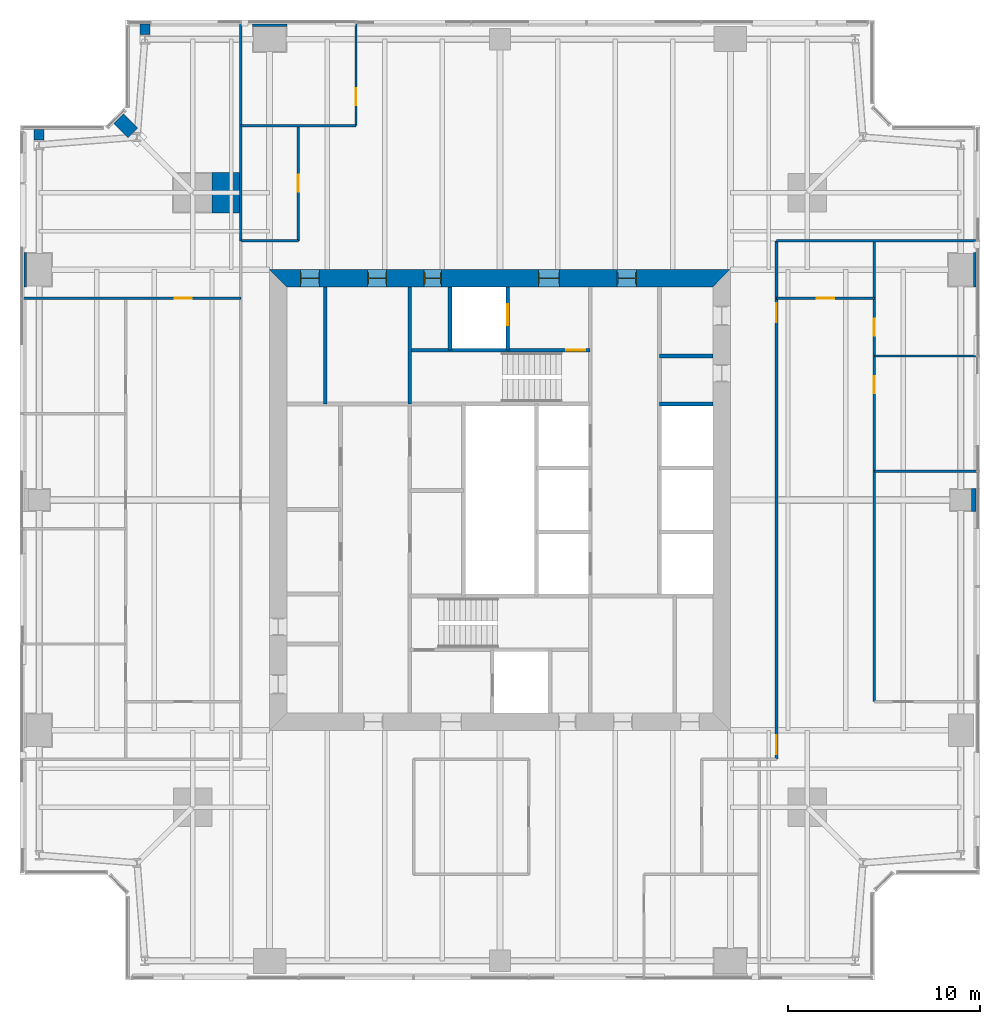
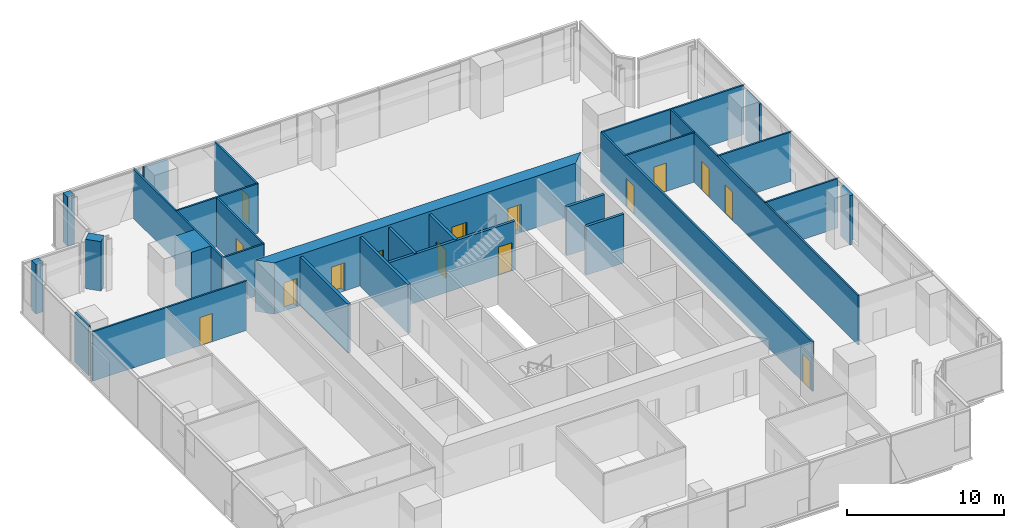
# One storey, part 11 of 14: 28 walls, 15 doors, 15 openings.
"""IFC4 building model written with IfcOpenShell, lengths in metres."""

from ifc_helpers import new_model, si_unit, direction, frame, frame_2d, origin, place, context, subcontext, project, spatial, polyline, rectangle, outline, extrude, material, layer, layer_set, type_object, element, fill, save


model = new_model("IFC4")

# Units and contexts
model_context = context("Model", 3, precision=1e-05, world=origin(), true_north=direction((0.0, 1.0)))
body_context = subcontext(model_context, "Body", "Model", "MODEL_VIEW")
ifc_project = project(units=[si_unit("LENGTHUNIT", "METRE"), si_unit("AREAUNIT", "SQUARE_METRE"), si_unit("VOLUMEUNIT", "CUBIC_METRE"), si_unit("PLANEANGLEUNIT", "RADIAN"), si_unit("MASSUNIT", "GRAM", prefix="KILO")], contexts=[model_context])

# Site, building, storey
site_placement = place(None, origin())
site = spatial("IfcSite", under=ifc_project, at=site_placement, CompositionType="ELEMENT")
building_placement = place(site_placement, origin())
building = spatial("IfcBuilding", under=site, at=building_placement, Name="Fenwick Lantern Interchange", CompositionType="ELEMENT")
storey_placement = place(building_placement, frame((0.0, 0.0, 221.800048828125)))
storey = spatial("IfcBuildingStorey", under=building, at=storey_placement, Name="L52", CompositionType="ELEMENT", Elevation=221.800048828125)

# Walls
ifc_material_1 = material(Name="Fire-rated gypsum board encasement on steel studs, 2 hour", Category="steel")
ifc_layer_1 = layer(ifc_material_1, 1.199951171875)
ifc_layer_set_1 = layer_set([ifc_layer_1], Name="COLUMN PIER 1200")
wall_type_1 = type_object("IfcWallType", Name="COLUMN PIER 1200", PredefinedType="PARTITIONING", material=ifc_layer_set_1)
wall_1_placement = place(storey_placement, frame((49.800048828125, 25.0, 0.0), z_axis=(0.0, 0.0, 1.0), x_axis=(-1.0, 0.0, 0.0)))
element("IfcWall", 1, at=wall_1_placement, inside=storey, type_object=wall_type_1, Name="L52/W/PIER/CE3", PredefinedType="PARTITIONING", context=body_context, shape_type="SweptSolid", body=[
    extrude(rectangle(XDim=0.25, YDim=1.199951171875, at=frame_2d((0.125, 0.0))), origin(), (0.0, 0.0, 1.0), 3.849853515625),
])
ifc_layer_2 = layer(ifc_material_1, 1.800048828125)
ifc_layer_set_2 = layer_set([ifc_layer_2], Name="COLUMN PIER 1800")
wall_type_2 = type_object("IfcWallType", Name="COLUMN PIER 1800", PredefinedType="PARTITIONING", material=ifc_layer_set_2)
for number, where, z_axis, x_axis, name in (
    (2, (49.800048828125, 37.0, 0.0), (0.0, 0.0, 1.0), (-1.0, 0.0, 0.0), "L52/W/PIER/CE4"),
    (3, (13.0, 49.800048828125, 0.0), (0.0, 0.0, 1.0), (0.0, -1.0, 0.0), "L52/W/PIER/CN4"),
    (4, (0.199951171875, 37.0, 0.0), (0.0, 0.0, 1.0), (1.0, 0.0, 0.0), "L52/W/PIER/CW2"),
):
    element("IfcWall", number, at=place(storey_placement, frame(where, z_axis=z_axis, x_axis=x_axis)), inside=storey, type_object=wall_type_2, Name=name, PredefinedType="PARTITIONING", context=body_context, shape_type="SweptSolid", body=[
        extrude(rectangle(XDim=0.150146484375, YDim=1.800048828125, at=frame_2d((0.0751953125, 0.0))), origin(), (0.0, 0.0, 1.0), 3.849853515625),
    ])
ifc_layer_3 = layer(ifc_material_1, 2.10009765625)
ifc_layer_set_3 = layer_set([ifc_layer_3], Name="COLUMN PIER 2100")
wall_type_3 = type_object("IfcWallType", Name="COLUMN PIER 2100", PredefinedType="PARTITIONING", material=ifc_layer_set_3)
wall_2_placement = place(storey_placement, frame((11.4375, 41.0, 0.0), z_axis=(0.0, 0.0, 1.0), x_axis=(-1.0, 0.0, 0.0)))
element("IfcWall", 5, at=wall_2_placement, inside=storey, type_object=wall_type_3, Name="L52/W/PIER/M4", PredefinedType="PARTITIONING", context=body_context, shape_type="SweptSolid", body=[
    extrude(rectangle(XDim=1.4375, YDim=2.10009765625, at=frame_2d((0.71875, 0.0))), origin(), (0.0, 0.0, 1.0), 3.849853515625),
])
ifc_layer_4 = layer(ifc_material_1, 0.52392578125)
ifc_layer_set_4 = layer_set([ifc_layer_4], Name="COLUMN PIER 524")
wall_type_4 = type_object("IfcWallType", Name="COLUMN PIER 524", PredefinedType="PARTITIONING", material=ifc_layer_set_4)
for number, where, z_axis, x_axis, name in (
    (6, (6.5, 49.800048828125, 0.0), (0.0, 0.0, 1.0), (0.0, -1.0, 0.0), "L52/W/PIER/CN5"),
    (7, (1.0, 44.300048828125, 0.0), (0.0, 0.0, 1.0), (0.0, -1.0, 0.0), "L52/W/PIER/CW1"),
):
    element("IfcWall", number, at=place(storey_placement, frame(where, z_axis=z_axis, x_axis=x_axis)), inside=storey, type_object=wall_type_4, Name=name, PredefinedType="PARTITIONING", context=body_context, shape_type="SweptSolid", body=[
        extrude(rectangle(XDim=0.5625, YDim=0.52392578125, at=frame_2d((0.28125, 0.0))), origin(), (0.0, 0.0, 1.0), 3.849853515625),
    ])
ifc_layer_5 = layer(ifc_material_1, 0.736083984375)
ifc_layer_set_5 = layer_set([ifc_layer_5], Name="COLUMN PIER 736")
wall_type_5 = type_object("IfcWallType", Name="COLUMN PIER 736", PredefinedType="PARTITIONING", material=ifc_layer_set_5)
wall_3_placement = place(storey_placement, frame((5.141357421875, 44.858642578125, 0.0), z_axis=(0.0, 0.0, 1.0), x_axis=(0.707106781187, -0.707106781187, 0.0)))
element("IfcWall", 8, at=wall_3_placement, inside=storey, type_object=wall_type_5, Name="L52/W/PIER/CNR", PredefinedType="PARTITIONING", context=body_context, shape_type="SweptSolid", body=[
    extrude(rectangle(XDim=1.037841796875, YDim=0.736083984375, at=frame_2d((0.51904296875, 0.0))), origin(), (0.0, 0.0, 1.0), 3.849853515625),
])
ifc_material_2 = material(Name="Concrete masonry ASTM C90 Grade N", Category="masonry")
ifc_layer_6 = layer(ifc_material_2, 0.199951171875)
ifc_layer_set_6 = layer_set([ifc_layer_6], Name="Concrete masonry ASTM C90 Grade N")
wall_type_6 = type_object("IfcWallType", Name="CORE PARTITION 200", PredefinedType="PARTITIONING", material=ifc_layer_set_6)
wall_4_placement = place(storey_placement, frame((36.10009765625, 30.0, 0.0), z_axis=(0.0, 0.0, 1.0), x_axis=(-1.0, 0.0, 0.0)))
element("IfcWall", 9, at=wall_4_placement, inside=storey, type_object=wall_type_6, Name="L52/W/COREN/c2", PredefinedType="PARTITIONING", context=body_context, shape_type="SweptSolid", body=[
    extrude(rectangle(XDim=2.800048828125, YDim=0.199951171875, at=frame_2d((1.39990234375, 0.0))), origin(), (0.0, 0.0, 1.0), 3.800048828125),
])

# Wall, opening, door
wall_5_placement = place(storey_placement, frame((25.39990234375, 36.10009765625, 0.0), z_axis=(0.0, 0.0, 1.0), x_axis=(0.0, -1.0, 0.0)))
wall_5 = element("IfcWall", 10, at=wall_5_placement, inside=storey, type_object=wall_type_6, Name="L52/W/COREN/h1", PredefinedType="PARTITIONING", context=body_context, shape_type="SweptSolid", body=[
    extrude(rectangle(XDim=3.300048828125, YDim=0.199951171875, at=frame_2d((1.64990234375, 0.0))), origin(), (0.0, 0.0, 1.0), 3.800048828125),
])
opening_1_placement = place(wall_5_placement, frame((0.89990234375, 0.0, 0.0)))
opening_1 = element("IfcOpeningElement", 11, at=opening_1_placement, cuts=wall_5, Name="Opening LD-FL2", PredefinedType="OPENING", context=body_context, shape_type="SweptSolid", body=[
    extrude(rectangle(XDim=1.10009765625, YDim=2.199951171875, at=frame_2d((0.550048828125, 1.10009765625))), frame((0.0, 0.10986328125, 0.0), z_axis=(0.0, -1.0, 0.0), x_axis=(1.0, 0.0, 0.0)), (0.0, 0.0, 1.0), 0.219970703125),
])
ifc_material_3 = material(Name="Steel door and frame", Category="steel")
door_type_1 = type_object("IfcDoorType", Name="LIFT LANDING DOOR 1100 X 2200", OperationType="DOUBLE_DOOR_SLIDING", PredefinedType="DOOR", material=ifc_material_3)
door_1_placement = place(opening_1_placement, origin())
door_1 = element("IfcDoor", 12, at=door_1_placement, inside=storey, type_object=door_type_1, Name="Lift landing door FL2", OperationType="DOUBLE_DOOR_SLIDING", OverallHeight=2.199951171875, OverallWidth=1.10009765625, PredefinedType="DOOR", context=body_context, shape_type="SweptSolid", body=[
    extrude(rectangle(XDim=1.10009765625, YDim=2.199951171875, at=frame_2d((0.550048828125, 1.10009765625))), frame((0.0, 0.02490234375, 0.0), z_axis=(0.0, -1.0, 0.0), x_axis=(1.0, 0.0, 0.0)), (0.0, 0.0, 1.0), 0.050048828125),
])
fill(opening_1, door_1)

# Walls
wall_6_placement = place(storey_placement, frame((22.39990234375, 36.10009765625, 0.0), z_axis=(0.0, 0.0, 1.0), x_axis=(0.0, -1.0, 0.0)))
element("IfcWall", 13, at=wall_6_placement, inside=storey, type_object=wall_type_6, Name="L52/W/COREN/h2", PredefinedType="PARTITIONING", context=body_context, shape_type="SweptSolid", body=[
    extrude(rectangle(XDim=3.300048828125, YDim=0.199951171875, at=frame_2d((1.64990234375, 0.0))), origin(), (0.0, 0.0, 1.0), 3.800048828125),
])
wall_7_placement = place(storey_placement, frame((15.89990234375, 36.10009765625, 0.0), z_axis=(0.0, 0.0, 1.0), x_axis=(0.0, -1.0, 0.0)))
element("IfcWall", 14, at=wall_7_placement, inside=storey, type_object=wall_type_6, Name="L52/W/COREN/i2", PredefinedType="PARTITIONING", context=body_context, shape_type="SweptSolid", body=[
    extrude(rectangle(XDim=6.10009765625, YDim=0.199951171875, at=frame_2d((3.050048828125, 0.0))), origin(), (0.0, 0.0, 1.0), 3.800048828125),
])
wall_8_placement = place(storey_placement, frame((36.10009765625, 32.5, 0.0), z_axis=(0.0, 0.0, 1.0), x_axis=(-1.0, 0.0, 0.0)))
element("IfcWall", 15, at=wall_8_placement, inside=storey, type_object=wall_type_6, Name="L52/W/COREN/p1", PredefinedType="PARTITIONING", context=body_context, shape_type="SweptSolid", body=[
    extrude(rectangle(XDim=2.800048828125, YDim=0.199951171875, at=frame_2d((1.39990234375, 0.0))), origin(), (0.0, 0.0, 1.0), 3.800048828125),
])

# Wall, openings, doors
ifc_material_4 = material(Name="Concrete f'c 70 MPa", Category="concrete")
ifc_layer_7 = layer(ifc_material_4, 0.89990234375)
ifc_layer_set_7 = layer_set([ifc_layer_7], Name="CORE WALL 900")
wall_type_7 = type_object("IfcWallType", Name="CORE WALL 900", PredefinedType="SHEAR", material=ifc_layer_set_7)
wall_9_placement = place(storey_placement, frame((37.0, 36.550048828125, 0.0), z_axis=(0.0, 0.0, 1.0), x_axis=(-1.0, 0.0, 0.0)))
wall_9 = element("IfcWall", 16, at=wall_9_placement, inside=storey, type_object=wall_type_7, Name="L52/CORE/N", PredefinedType="SHEAR", context=body_context, shape_type="SweptSolid", body=[
    extrude(outline(polyline([(0.0, -0.449951171875), (24.0, -0.449951171875), (23.10009765625, 0.449951171875), (0.89990234375, 0.449951171875), (0.0, -0.449951171875)])), origin(), (0.0, 0.0, 1.0), 4.0),
])
opening_2_placement = place(wall_9_placement, frame((4.89990234375, 0.0, 0.0)))
opening_2 = element("IfcOpeningElement", 17, at=opening_2_placement, cuts=wall_9, Name="Opening L52-D013", PredefinedType="OPENING", context=body_context, shape_type="SweptSolid", body=[
    extrude(rectangle(XDim=1.0, YDim=2.199951171875, at=frame_2d((0.5, 1.10009765625))), frame((0.0, 0.4599609375, 0.0), z_axis=(0.0, -1.0, 0.0), x_axis=(1.0, 0.0, 0.0)), (0.0, 0.0, 1.0), 0.919921875),
])
opening_3_placement = place(wall_9_placement, frame((8.89990234375, 0.0, 0.0)))
opening_3 = element("IfcOpeningElement", 18, at=opening_3_placement, cuts=wall_9, Name="Opening L52-D014", PredefinedType="OPENING", context=body_context, shape_type="SweptSolid", body=[
    extrude(rectangle(XDim=1.10009765625, YDim=2.199951171875, at=frame_2d((0.550048828125, 1.10009765625))), frame((0.0, 0.4599609375, 0.0), z_axis=(0.0, -1.0, 0.0), x_axis=(1.0, 0.0, 0.0)), (0.0, 0.0, 1.0), 0.919921875),
])
opening_4_placement = place(wall_9_placement, frame((15.050048828125, 0.0, 0.0)))
opening_4 = element("IfcOpeningElement", 19, at=opening_4_placement, cuts=wall_9, Name="Opening L52-D016", PredefinedType="OPENING", context=body_context, shape_type="SweptSolid", body=[
    extrude(rectangle(XDim=0.89990234375, YDim=2.199951171875, at=frame_2d((0.449951171875, 1.10009765625))), frame((0.0, 0.4599609375, 0.0), z_axis=(0.0, -1.0, 0.0), x_axis=(1.0, 0.0, 0.0)), (0.0, 0.0, 1.0), 0.919921875),
])
opening_5_placement = place(wall_9_placement, frame((17.89990234375, 0.0, 0.0)))
opening_5 = element("IfcOpeningElement", 20, at=opening_5_placement, cuts=wall_9, Name="Opening L52-D017", PredefinedType="OPENING", context=body_context, shape_type="SweptSolid", body=[
    extrude(rectangle(XDim=1.0, YDim=2.199951171875, at=frame_2d((0.5, 1.10009765625))), frame((0.0, 0.4599609375, 0.0), z_axis=(0.0, -1.0, 0.0), x_axis=(1.0, 0.0, 0.0)), (0.0, 0.0, 1.0), 0.919921875),
])
opening_6_placement = place(wall_9_placement, frame((21.39990234375, 0.0, 0.0)))
opening_6 = element("IfcOpeningElement", 21, at=opening_6_placement, cuts=wall_9, Name="Opening L52-D018", PredefinedType="OPENING", context=body_context, shape_type="SweptSolid", body=[
    extrude(rectangle(XDim=1.0, YDim=2.199951171875, at=frame_2d((0.5, 1.10009765625))), frame((0.0, 0.4599609375, 0.0), z_axis=(0.0, -1.0, 0.0), x_axis=(1.0, 0.0, 0.0)), (0.0, 0.0, 1.0), 0.919921875),
])
door_type_2 = type_object("IfcDoorType", Name="CORE LOBBY DOOR 1000 X 2200", OperationType="SINGLE_SWING_LEFT", PredefinedType="DOOR", material=ifc_material_3)
door_2_placement = place(opening_2_placement, frame((1.0, 0.0, 0.0), z_axis=(0.0, 0.0, 1.0), x_axis=(-1.0, 0.0, 0.0)))
door_2 = element("IfcDoor", 22, at=door_2_placement, inside=storey, type_object=door_type_2, Name="Core lobby door", OperationType="SINGLE_SWING_RIGHT", OverallHeight=2.199951171875, OverallWidth=1.0, PredefinedType="DOOR", context=body_context, shape_type="SweptSolid", body=[
    extrude(rectangle(XDim=1.0, YDim=2.199951171875, at=frame_2d((0.5, 1.10009765625))), frame((0.0, 0.02490234375, 0.0), z_axis=(0.0, -1.0, 0.0), x_axis=(1.0, 0.0, 0.0)), (0.0, 0.0, 1.0), 0.050048828125),
    extrude(outline(polyline([(0.0, 0.0), (0.0400390625, 0.0), (0.0400390625, 2.159912109375), (0.9599609375, 2.159912109375), (0.9599609375, 0.0), (1.0, 0.0), (1.0, 2.199951171875), (0.0, 2.199951171875), (0.0, 0.0)])), frame((0.0, 0.300048828125, 0.0), z_axis=(0.0, -1.0, 0.0), x_axis=(1.0, 0.0, 0.0)), (0.0, 0.0, 1.0), 0.60009765625),
])
fill(opening_2, door_2)
door_type_3 = type_object("IfcDoorType", Name="FIRE LOBBY DOOR 1100 X 2200", OperationType="SINGLE_SWING_LEFT", PredefinedType="DOOR", material=ifc_material_3)
door_3_placement = place(opening_3_placement, origin())
door_3 = element("IfcDoor", 23, at=door_3_placement, inside=storey, type_object=door_type_3, Name="Fire lobby door", OperationType="SINGLE_SWING_LEFT", OverallHeight=2.199951171875, OverallWidth=1.10009765625, PredefinedType="DOOR", context=body_context, shape_type="SweptSolid", body=[
    extrude(rectangle(XDim=1.10009765625, YDim=2.199951171875, at=frame_2d((0.550048828125, 1.10009765625))), frame((0.0, 0.02490234375, 0.0), z_axis=(0.0, -1.0, 0.0), x_axis=(1.0, 0.0, 0.0)), (0.0, 0.0, 1.0), 0.050048828125),
    extrude(outline(polyline([(0.0, 0.0), (0.0400390625, 0.0), (0.0400390625, 2.159912109375), (1.06005859375, 2.159912109375), (1.06005859375, 0.0), (1.10009765625, 0.0), (1.10009765625, 2.199951171875), (0.0, 2.199951171875), (0.0, 0.0)])), frame((0.0, 0.300048828125, 0.0), z_axis=(0.0, -1.0, 0.0), x_axis=(1.0, 0.0, 0.0)), (0.0, 0.0, 1.0), 0.60009765625),
])
fill(opening_3, door_3)
door_type_4 = type_object("IfcDoorType", Name="SERVICE DOOR 900 X 2200", OperationType="SINGLE_SWING_LEFT", PredefinedType="DOOR", material=ifc_material_3)
door_4_placement = place(opening_4_placement, origin())
door_4 = element("IfcDoor", 24, at=door_4_placement, inside=storey, type_object=door_type_4, Name="Service door", OperationType="SINGLE_SWING_LEFT", OverallHeight=2.199951171875, OverallWidth=0.89990234375, PredefinedType="DOOR", context=body_context, shape_type="SweptSolid", body=[
    extrude(rectangle(XDim=0.89990234375, YDim=2.199951171875, at=frame_2d((0.449951171875, 1.10009765625))), frame((0.0, 0.02490234375, 0.0), z_axis=(0.0, -1.0, 0.0), x_axis=(1.0, 0.0, 0.0)), (0.0, 0.0, 1.0), 0.050048828125),
    extrude(outline(polyline([(0.0, 0.0), (0.0400390625, 0.0), (0.0400390625, 2.159912109375), (0.85986328125, 2.159912109375), (0.85986328125, 0.0), (0.89990234375, 0.0), (0.89990234375, 2.199951171875), (0.0, 2.199951171875), (0.0, 0.0)])), frame((0.0, 0.300048828125, 0.0), z_axis=(0.0, -1.0, 0.0), x_axis=(1.0, 0.0, 0.0)), (0.0, 0.0, 1.0), 0.60009765625),
])
fill(opening_4, door_4)
ifc_material_5 = material(Name="Hardwood door and steel frame", Category="steel")
door_type_5 = type_object("IfcDoorType", Name="WC DOOR 1000 X 2200", OperationType="SINGLE_SWING_LEFT", PredefinedType="DOOR", material=ifc_material_5)
door_5_placement = place(opening_5_placement, origin())
door_5 = element("IfcDoor", 25, at=door_5_placement, inside=storey, type_object=door_type_5, Name="Wc door", OperationType="SINGLE_SWING_LEFT", OverallHeight=2.199951171875, OverallWidth=1.0, PredefinedType="DOOR", context=body_context, shape_type="SweptSolid", body=[
    extrude(rectangle(XDim=1.0, YDim=2.199951171875, at=frame_2d((0.5, 1.10009765625))), frame((0.0, 0.02490234375, 0.0), z_axis=(0.0, -1.0, 0.0), x_axis=(1.0, 0.0, 0.0)), (0.0, 0.0, 1.0), 0.050048828125),
    extrude(outline(polyline([(0.0, 0.0), (0.0400390625, 0.0), (0.0400390625, 2.159912109375), (0.9599609375, 2.159912109375), (0.9599609375, 0.0), (1.0, 0.0), (1.0, 2.199951171875), (0.0, 2.199951171875), (0.0, 0.0)])), frame((0.0, 0.300048828125, 0.0), z_axis=(0.0, -1.0, 0.0), x_axis=(1.0, 0.0, 0.0)), (0.0, 0.0, 1.0), 0.60009765625),
])
fill(opening_5, door_5)
door_6_placement = place(opening_6_placement, origin())
door_6 = element("IfcDoor", 26, at=door_6_placement, inside=storey, type_object=door_type_5, Name="Wc door", OperationType="SINGLE_SWING_LEFT", OverallHeight=2.199951171875, OverallWidth=1.0, PredefinedType="DOOR", context=body_context, shape_type="SweptSolid", body=[
    extrude(rectangle(XDim=1.0, YDim=2.199951171875, at=frame_2d((0.5, 1.10009765625))), frame((0.0, 0.02490234375, 0.0), z_axis=(0.0, -1.0, 0.0), x_axis=(1.0, 0.0, 0.0)), (0.0, 0.0, 1.0), 0.050048828125),
    extrude(outline(polyline([(0.0, 0.0), (0.0400390625, 0.0), (0.0400390625, 2.159912109375), (0.9599609375, 2.159912109375), (0.9599609375, 0.0), (1.0, 0.0), (1.0, 2.199951171875), (0.0, 2.199951171875), (0.0, 0.0)])), frame((0.0, 0.300048828125, 0.0), z_axis=(0.0, -1.0, 0.0), x_axis=(1.0, 0.0, 0.0)), (0.0, 0.0, 1.0), 0.60009765625),
])
fill(opening_6, door_6)

ifc_material_6 = material(Name="Gypsum board on steel studs, 1 hour", Category="steel")
ifc_layer_8 = layer(ifc_material_6, 0.14990234375)
ifc_layer_set_8 = layer_set([ifc_layer_8], Name="CORRIDOR WALL 150")
wall_type_8 = type_object("IfcWallType", Name="CORRIDOR WALL 150", PredefinedType="PARTITIONING", material=ifc_layer_set_8)
wall_10_placement = place(storey_placement, frame((39.39990234375, 11.5, 0.0), z_axis=(0.0, 0.0, 1.0), x_axis=(0.0, 1.0, 0.0)))
wall_10 = element("IfcWall", 27, at=wall_10_placement, inside=storey, type_object=wall_type_8, Name="L52/W/OFF/E/CW2", PredefinedType="PARTITIONING", context=body_context, shape_type="SweptSolid", body=[
    extrude(rectangle(XDim=27.0, YDim=0.14990234375, at=frame_2d((13.5, 0.0))), origin(), (0.0, 0.0, 1.0), 3.849853515625),
])
opening_7_placement = place(wall_10_placement, frame((0.25, 0.0, 0.0)))
opening_7 = element("IfcOpeningElement", 28, at=opening_7_placement, cuts=wall_10, Name="Opening L52-D024", PredefinedType="OPENING", context=body_context, shape_type="SweptSolid", body=[
    extrude(rectangle(XDim=1.0, YDim=2.199951171875, at=frame_2d((0.5, 1.10009765625))), frame((0.0, 0.0849609375, 0.0), z_axis=(0.0, -1.0, 0.0), x_axis=(1.0, 0.0, 0.0)), (0.0, 0.0, 1.0), 0.169921875),
])
opening_8_placement = place(wall_10_placement, frame((22.75, 0.0, 0.0)))
opening_8 = element("IfcOpeningElement", 29, at=opening_8_placement, cuts=wall_10, Name="Opening L52-D025", PredefinedType="OPENING", context=body_context, shape_type="SweptSolid", body=[
    extrude(rectangle(XDim=1.0, YDim=2.199951171875, at=frame_2d((0.5, 1.10009765625))), frame((0.0, 0.0849609375, 0.0), z_axis=(0.0, -1.0, 0.0), x_axis=(1.0, 0.0, 0.0)), (0.0, 0.0, 1.0), 0.169921875),
])
door_type_6 = type_object("IfcDoorType", Name="SUITE ENTRANCE DOOR 1000 X 2200", OperationType="SINGLE_SWING_LEFT", PredefinedType="DOOR", material=ifc_material_3)
door_7_placement = place(opening_7_placement, origin())
door_7 = element("IfcDoor", 30, at=door_7_placement, inside=storey, type_object=door_type_6, Name="Suite entrance door", OperationType="SINGLE_SWING_LEFT", OverallHeight=2.199951171875, OverallWidth=1.0, PredefinedType="DOOR", context=body_context, shape_type="SweptSolid", body=[
    extrude(rectangle(XDim=1.0, YDim=2.199951171875, at=frame_2d((0.5, 1.10009765625))), frame((0.0, 0.02490234375, 0.0), z_axis=(0.0, -1.0, 0.0), x_axis=(1.0, 0.0, 0.0)), (0.0, 0.0, 1.0), 0.050048828125),
])
fill(opening_7, door_7)
door_8_placement = place(opening_8_placement, origin())
door_8 = element("IfcDoor", 31, at=door_8_placement, inside=storey, type_object=door_type_6, Name="Suite entrance door", OperationType="SINGLE_SWING_RIGHT", OverallHeight=2.199951171875, OverallWidth=1.0, PredefinedType="DOOR", context=body_context, shape_type="SweptSolid", body=[
    extrude(rectangle(XDim=1.0, YDim=2.199951171875, at=frame_2d((0.5, 1.10009765625))), frame((0.0, 0.02490234375, 0.0), z_axis=(0.0, -1.0, 0.0), x_axis=(1.0, 0.0, 0.0)), (0.0, 0.0, 1.0), 0.050048828125),
])
fill(opening_8, door_8)

# Walls
ifc_material_7 = material(Name="Gypsum board on steel studs, acoustic", Category="steel")
ifc_layer_9 = layer(ifc_material_7, 0.125)
ifc_layer_set_9 = layer_set([ifc_layer_9], Name="OFFICE PARTITION 125")
wall_type_9 = type_object("IfcWallType", Name="OFFICE PARTITION 125", PredefinedType="PARTITIONING", material=ifc_layer_set_9)
for number, where, z_axis, x_axis, name in (
    (32, (49.85009765625, 26.5, 0.0), (0.0, 0.0, 1.0), (-1.0, 0.0, 0.0), "L52/W/OFF/E/X265-1"),
    (33, (49.85009765625, 32.5, 0.0), (0.0, 0.0, 1.0), (-1.0, 0.0, 0.0), "L52/W/OFF/E/X325-1"),
):
    element("IfcWall", number, at=place(storey_placement, frame(where, z_axis=z_axis, x_axis=x_axis)), inside=storey, type_object=wall_type_9, Name=name, PredefinedType="PARTITIONING", context=body_context, shape_type="SweptSolid", body=[
        extrude(rectangle(XDim=5.35009765625, YDim=0.125, at=frame_2d((2.675048828125, 0.0))), origin(), (0.0, 0.0, 1.0), 3.849853515625),
    ])

# Wall, opening, door
wall_11_placement = place(storey_placement, frame((44.5, 35.5, 0.0), z_axis=(0.0, 0.0, 1.0), x_axis=(-1.0, 0.0, 0.0)))
wall_11 = element("IfcWall", 34, at=wall_11_placement, inside=storey, type_object=wall_type_9, Name="L52/W/OFF/E/X355-1", PredefinedType="PARTITIONING", context=body_context, shape_type="SweptSolid", body=[
    extrude(rectangle(XDim=5.10009765625, YDim=0.125, at=frame_2d((2.550048828125, 0.0))), origin(), (0.0, 0.0, 1.0), 3.849853515625),
])
opening_9_placement = place(wall_11_placement, frame((2.10009765625, 0.0, 0.0)))
opening_9 = element("IfcOpeningElement", 35, at=opening_9_placement, cuts=wall_11, Name="Opening L52-D029", PredefinedType="OPENING", context=body_context, shape_type="SweptSolid", body=[
    extrude(rectangle(XDim=0.89990234375, YDim=2.199951171875, at=frame_2d((0.449951171875, 1.10009765625))), frame((0.0, 0.072509765625, 0.0), z_axis=(0.0, -1.0, 0.0), x_axis=(1.0, 0.0, 0.0)), (0.0, 0.0, 1.0), 0.14501953125),
])
door_type_7 = type_object("IfcDoorType", Name="OFFICE DOOR 900 X 2200", OperationType="SINGLE_SWING_LEFT", PredefinedType="DOOR", material=ifc_material_5)
door_9_placement = place(opening_9_placement, frame((0.89990234375, 0.0, 0.0), z_axis=(0.0, 0.0, 1.0), x_axis=(-1.0, 0.0, 0.0)))
door_9 = element("IfcDoor", 36, at=door_9_placement, inside=storey, type_object=door_type_7, Name="Office door", OperationType="SINGLE_SWING_RIGHT", OverallHeight=2.199951171875, OverallWidth=0.89990234375, PredefinedType="DOOR", context=body_context, shape_type="SweptSolid", body=[
    extrude(rectangle(XDim=0.89990234375, YDim=2.199951171875, at=frame_2d((0.449951171875, 1.10009765625))), frame((0.0, 0.02490234375, 0.0), z_axis=(0.0, -1.0, 0.0), x_axis=(1.0, 0.0, 0.0)), (0.0, 0.0, 1.0), 0.050048828125),
])
fill(opening_9, door_9)

# Wall, openings, doors
wall_12_placement = place(storey_placement, frame((44.5, 14.5, 0.0), z_axis=(0.0, 0.0, 1.0), x_axis=(0.0, 1.0, 0.0)))
wall_12 = element("IfcWall", 37, at=wall_12_placement, inside=storey, type_object=wall_type_9, Name="L52/W/OFF/E/Y55-1", PredefinedType="PARTITIONING", context=body_context, shape_type="SweptSolid", body=[
    extrude(rectangle(XDim=24.0, YDim=0.125, at=frame_2d((12.0, 0.0))), origin(), (0.0, 0.0, 1.0), 3.849853515625),
])
opening_10_placement = place(wall_12_placement, frame((16.050048828125, 0.0, 0.0)))
opening_10 = element("IfcOpeningElement", 38, at=opening_10_placement, cuts=wall_12, Name="Opening L52-D027", PredefinedType="OPENING", context=body_context, shape_type="SweptSolid", body=[
    extrude(rectangle(XDim=0.89990234375, YDim=2.199951171875, at=frame_2d((0.449951171875, 1.10009765625))), frame((0.0, 0.072509765625, 0.0), z_axis=(0.0, -1.0, 0.0), x_axis=(1.0, 0.0, 0.0)), (0.0, 0.0, 1.0), 0.14501953125),
])
opening_11_placement = place(wall_12_placement, frame((19.050048828125, 0.0, 0.0)))
opening_11 = element("IfcOpeningElement", 39, at=opening_11_placement, cuts=wall_12, Name="Opening L52-D028", PredefinedType="OPENING", context=body_context, shape_type="SweptSolid", body=[
    extrude(rectangle(XDim=0.89990234375, YDim=2.199951171875, at=frame_2d((0.449951171875, 1.10009765625))), frame((0.0, 0.072509765625, 0.0), z_axis=(0.0, -1.0, 0.0), x_axis=(1.0, 0.0, 0.0)), (0.0, 0.0, 1.0), 0.14501953125),
])
door_10_placement = place(opening_10_placement, frame((0.89990234375, 0.0, 0.0), z_axis=(0.0, 0.0, 1.0), x_axis=(-1.0, 0.0, 0.0)))
door_10 = element("IfcDoor", 40, at=door_10_placement, inside=storey, type_object=door_type_7, Name="Office door", OperationType="SINGLE_SWING_LEFT", OverallHeight=2.199951171875, OverallWidth=0.89990234375, PredefinedType="DOOR", context=body_context, shape_type="SweptSolid", body=[
    extrude(rectangle(XDim=0.89990234375, YDim=2.199951171875, at=frame_2d((0.449951171875, 1.10009765625))), frame((0.0, 0.02490234375, 0.0), z_axis=(0.0, -1.0, 0.0), x_axis=(1.0, 0.0, 0.0)), (0.0, 0.0, 1.0), 0.050048828125),
])
fill(opening_10, door_10)
door_11_placement = place(opening_11_placement, frame((0.89990234375, 0.0, 0.0), z_axis=(0.0, 0.0, 1.0), x_axis=(-1.0, 0.0, 0.0)))
door_11 = element("IfcDoor", 41, at=door_11_placement, inside=storey, type_object=door_type_7, Name="Office door", OperationType="SINGLE_SWING_RIGHT", OverallHeight=2.199951171875, OverallWidth=0.89990234375, PredefinedType="DOOR", context=body_context, shape_type="SweptSolid", body=[
    extrude(rectangle(XDim=0.89990234375, YDim=2.199951171875, at=frame_2d((0.449951171875, 1.10009765625))), frame((0.0, 0.02490234375, 0.0), z_axis=(0.0, -1.0, 0.0), x_axis=(1.0, 0.0, 0.0)), (0.0, 0.0, 1.0), 0.050048828125),
])
fill(opening_11, door_11)

# Wall
wall_13_placement = place(storey_placement, frame((49.85009765625, 38.5, 0.0), z_axis=(0.0, 0.0, 1.0), x_axis=(-1.0, 0.0, 0.0)))
element("IfcWall", 42, at=wall_13_placement, inside=storey, type_object=wall_type_9, Name="L52/W/OFF/N/BACK", PredefinedType="PARTITIONING", context=body_context, shape_type="SweptSolid", body=[
    extrude(rectangle(XDim=10.4501953125, YDim=0.125, at=frame_2d((5.22509765625, 0.0))), origin(), (0.0, 0.0, 1.0), 3.849853515625),
])

# Wall, opening, door
wall_14_placement = place(storey_placement, frame((17.5, 49.85009765625, 0.0), z_axis=(0.0, 0.0, 1.0), x_axis=(0.0, -1.0, 0.0)))
wall_14 = element("IfcWall", 43, at=wall_14_placement, inside=storey, type_object=wall_type_9, Name="L52/W/OFF/N/X325-1", PredefinedType="PARTITIONING", context=body_context, shape_type="SweptSolid", body=[
    extrude(rectangle(XDim=5.35009765625, YDim=0.125, at=frame_2d((2.675048828125, 0.0))), origin(), (0.0, 0.0, 1.0), 3.849853515625),
])
opening_12_placement = place(wall_14_placement, frame((3.39990234375, 0.0, 0.0)))
opening_12 = element("IfcOpeningElement", 44, at=opening_12_placement, cuts=wall_14, Name="Opening L52-D030", PredefinedType="OPENING", context=body_context, shape_type="SweptSolid", body=[
    extrude(rectangle(XDim=0.89990234375, YDim=2.199951171875, at=frame_2d((0.449951171875, 1.10009765625))), frame((0.0, 0.072509765625, 0.0), z_axis=(0.0, -1.0, 0.0), x_axis=(1.0, 0.0, 0.0)), (0.0, 0.0, 1.0), 0.14501953125),
])
door_12_placement = place(opening_12_placement, frame((0.89990234375, 0.0, 0.0), z_axis=(0.0, 0.0, 1.0), x_axis=(-1.0, 0.0, 0.0)))
door_12 = element("IfcDoor", 45, at=door_12_placement, inside=storey, type_object=door_type_7, Name="Office door", OperationType="SINGLE_SWING_LEFT", OverallHeight=2.199951171875, OverallWidth=0.89990234375, PredefinedType="DOOR", context=body_context, shape_type="SweptSolid", body=[
    extrude(rectangle(XDim=0.89990234375, YDim=2.199951171875, at=frame_2d((0.449951171875, 1.10009765625))), frame((0.0, 0.02490234375, 0.0), z_axis=(0.0, -1.0, 0.0), x_axis=(1.0, 0.0, 0.0)), (0.0, 0.0, 1.0), 0.050048828125),
])
fill(opening_12, door_12)

wall_15_placement = place(storey_placement, frame((14.5, 44.5, 0.0), z_axis=(0.0, 0.0, 1.0), x_axis=(0.0, -1.0, 0.0)))
wall_15 = element("IfcWall", 46, at=wall_15_placement, inside=storey, type_object=wall_type_9, Name="L52/W/OFF/N/X355-1", PredefinedType="PARTITIONING", context=body_context, shape_type="SweptSolid", body=[
    extrude(rectangle(XDim=6.0, YDim=0.125, at=frame_2d((3.0, 0.0))), origin(), (0.0, 0.0, 1.0), 3.849853515625),
])
opening_13_placement = place(wall_15_placement, frame((2.550048828125, 0.0, 0.0)))
opening_13 = element("IfcOpeningElement", 47, at=opening_13_placement, cuts=wall_15, Name="Opening L52-D031", PredefinedType="OPENING", context=body_context, shape_type="SweptSolid", body=[
    extrude(rectangle(XDim=0.89990234375, YDim=2.199951171875, at=frame_2d((0.449951171875, 1.10009765625))), frame((0.0, 0.072509765625, 0.0), z_axis=(0.0, -1.0, 0.0), x_axis=(1.0, 0.0, 0.0)), (0.0, 0.0, 1.0), 0.14501953125),
])
door_13_placement = place(opening_13_placement, frame((0.89990234375, 0.0, 0.0), z_axis=(0.0, 0.0, 1.0), x_axis=(-1.0, 0.0, 0.0)))
door_13 = element("IfcDoor", 48, at=door_13_placement, inside=storey, type_object=door_type_7, Name="Office door", OperationType="SINGLE_SWING_RIGHT", OverallHeight=2.199951171875, OverallWidth=0.89990234375, PredefinedType="DOOR", context=body_context, shape_type="SweptSolid", body=[
    extrude(rectangle(XDim=0.89990234375, YDim=2.199951171875, at=frame_2d((0.449951171875, 1.10009765625))), frame((0.0, 0.02490234375, 0.0), z_axis=(0.0, -1.0, 0.0), x_axis=(1.0, 0.0, 0.0)), (0.0, 0.0, 1.0), 0.050048828125),
])
fill(opening_13, door_13)

# Walls
wall_16_placement = place(storey_placement, frame((17.5, 44.5, 0.0), z_axis=(0.0, 0.0, 1.0), x_axis=(-1.0, 0.0, 0.0)))
element("IfcWall", 49, at=wall_16_placement, inside=storey, type_object=wall_type_9, Name="L52/W/OFF/N/Y55-1", PredefinedType="PARTITIONING", context=body_context, shape_type="SweptSolid", body=[
    extrude(rectangle(XDim=6.0, YDim=0.125, at=frame_2d((3.0, 0.0))), origin(), (0.0, 0.0, 1.0), 3.849853515625),
])
wall_17_placement = place(storey_placement, frame((14.5, 38.5, 0.0), z_axis=(0.0, 0.0, 1.0), x_axis=(-1.0, 0.0, 0.0)))
element("IfcWall", 50, at=wall_17_placement, inside=storey, type_object=wall_type_9, Name="L52/W/OFF/N/CWS1", PredefinedType="PARTITIONING", context=body_context, shape_type="SweptSolid", body=[
    extrude(rectangle(XDim=3.0, YDim=0.125, at=frame_2d((1.5, 0.0))), origin(), (0.0, 0.0, 1.0), 3.849853515625),
])
wall_18_placement = place(storey_placement, frame((11.5, 49.85009765625, 0.0), z_axis=(0.0, 0.0, 1.0), x_axis=(0.0, -1.0, 0.0)))
element("IfcWall", 51, at=wall_18_placement, inside=storey, type_object=wall_type_9, Name="L52/W/OFF/W/BACK", PredefinedType="PARTITIONING", context=body_context, shape_type="SweptSolid", body=[
    extrude(rectangle(XDim=11.35009765625, YDim=0.125, at=frame_2d((5.675048828125, 0.0))), origin(), (0.0, 0.0, 1.0), 3.849853515625),
])

# Wall, opening, door
wall_19_placement = place(storey_placement, frame((0.14990234375, 35.5, 0.0), z_axis=(0.0, 0.0, 1.0), x_axis=(1.0, 0.0, 0.0)))
wall_19 = element("IfcWall", 52, at=wall_19_placement, inside=storey, type_object=wall_type_9, Name="L52/W/OFF/W/X145-1", PredefinedType="PARTITIONING", context=body_context, shape_type="SweptSolid", body=[
    extrude(rectangle(XDim=11.35009765625, YDim=0.125, at=frame_2d((5.675048828125, 0.0))), origin(), (0.0, 0.0, 1.0), 3.849853515625),
])
opening_14_placement = place(wall_19_placement, frame((7.89990234375, 0.0, 0.0)))
opening_14 = element("IfcOpeningElement", 53, at=opening_14_placement, cuts=wall_19, Name="Opening L52-D033", PredefinedType="OPENING", context=body_context, shape_type="SweptSolid", body=[
    extrude(rectangle(XDim=0.89990234375, YDim=2.199951171875, at=frame_2d((0.449951171875, 1.10009765625))), frame((0.0, 0.072509765625, 0.0), z_axis=(0.0, -1.0, 0.0), x_axis=(1.0, 0.0, 0.0)), (0.0, 0.0, 1.0), 0.14501953125),
])
door_14_placement = place(opening_14_placement, origin())
door_14 = element("IfcDoor", 54, at=door_14_placement, inside=storey, type_object=door_type_7, Name="Office door", OperationType="SINGLE_SWING_RIGHT", OverallHeight=2.199951171875, OverallWidth=0.89990234375, PredefinedType="DOOR", context=body_context, shape_type="SweptSolid", body=[
    extrude(rectangle(XDim=0.89990234375, YDim=2.199951171875, at=frame_2d((0.449951171875, 1.10009765625))), frame((0.0, 0.02490234375, 0.0), z_axis=(0.0, -1.0, 0.0), x_axis=(1.0, 0.0, 0.0)), (0.0, 0.0, 1.0), 0.050048828125),
])
fill(opening_14, door_14)

ifc_material_8 = material(Name="Concrete f'c 45 MPa", Category="concrete")
ifc_layer_10 = layer(ifc_material_8, 0.199951171875)
ifc_layer_set_10 = layer_set([ifc_layer_10], Name="STAIR CORE WALL 200")
wall_type_10 = type_object("IfcWallType", Name="STAIR CORE WALL 200", PredefinedType="SOLIDWALL", material=ifc_layer_set_10)
wall_20_placement = place(storey_placement, frame((29.699951171875, 32.800048828125, 0.0), z_axis=(0.0, 0.0, 1.0), x_axis=(-1.0, 0.0, 0.0)))
wall_20 = element("IfcWall", 55, at=wall_20_placement, inside=storey, type_object=wall_type_10, Name="L52/W/COREN/g1", PredefinedType="SOLIDWALL", context=body_context, shape_type="SweptSolid", body=[
    extrude(rectangle(XDim=9.39990234375, YDim=0.199951171875, at=frame_2d((4.699951171875, 0.0))), origin(), (0.0, 0.0, 1.0), 3.800048828125),
])
opening_15_placement = place(wall_20_placement, frame((0.25, 0.0, 0.0)))
opening_15 = element("IfcOpeningElement", 56, at=opening_15_placement, cuts=wall_20, Name="Opening L52-D015", PredefinedType="OPENING", context=body_context, shape_type="SweptSolid", body=[
    extrude(rectangle(XDim=1.0, YDim=2.199951171875, at=frame_2d((0.5, 1.10009765625))), frame((0.0, 0.10986328125, 0.0), z_axis=(0.0, -1.0, 0.0), x_axis=(1.0, 0.0, 0.0)), (0.0, 0.0, 1.0), 0.219970703125),
])
door_type_8 = type_object("IfcDoorType", Name="STAIR DOOR 1000 X 2200", OperationType="SINGLE_SWING_LEFT", PredefinedType="DOOR", material=ifc_material_3)
door_15_placement = place(opening_15_placement, origin())
door_15 = element("IfcDoor", 57, at=door_15_placement, inside=storey, type_object=door_type_8, Name="Stair door", OperationType="SINGLE_SWING_LEFT", OverallHeight=2.199951171875, OverallWidth=1.0, PredefinedType="DOOR", context=body_context, shape_type="SweptSolid", body=[
    extrude(rectangle(XDim=1.0, YDim=2.199951171875, at=frame_2d((0.5, 1.10009765625))), frame((0.0, 0.02490234375, 0.0), z_axis=(0.0, -1.0, 0.0), x_axis=(1.0, 0.0, 0.0)), (0.0, 0.0, 1.0), 0.050048828125),
])
fill(opening_15, door_15)

# Wall
wall_21_placement = place(storey_placement, frame((20.300048828125, 36.10009765625, 0.0), z_axis=(0.0, 0.0, 1.0), x_axis=(0.0, -1.0, 0.0)))
element("IfcWall", 58, at=wall_21_placement, inside=storey, type_object=wall_type_10, Name="L52/W/COREN/i1", PredefinedType="SOLIDWALL", context=body_context, shape_type="SweptSolid", body=[
    extrude(rectangle(XDim=6.10009765625, YDim=0.199951171875, at=frame_2d((3.050048828125, 0.0))), origin(), (0.0, 0.0, 1.0), 3.800048828125),
])

save(model, "model.ifc")
